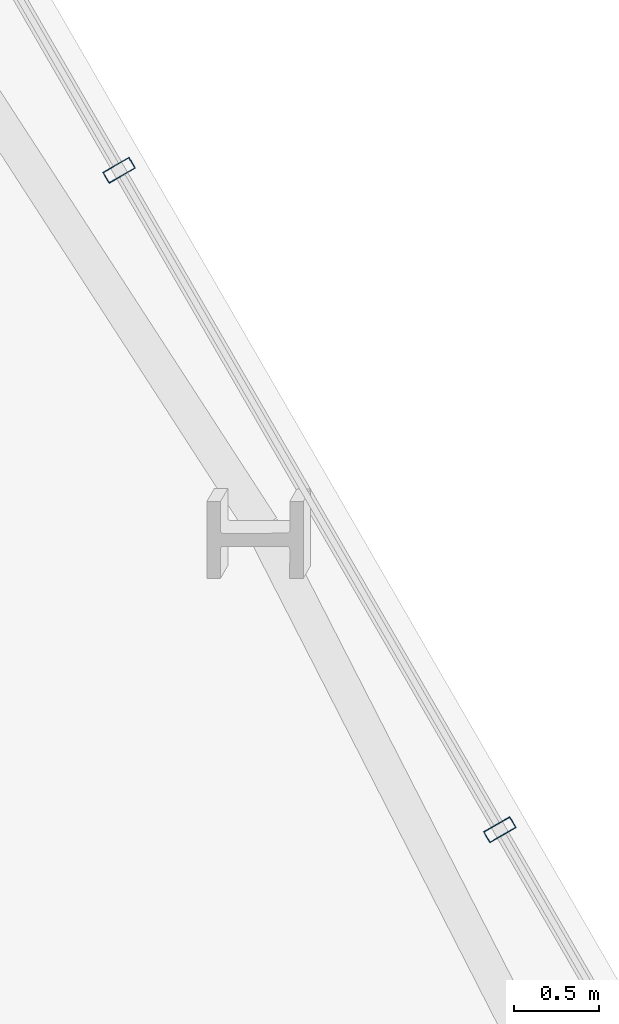
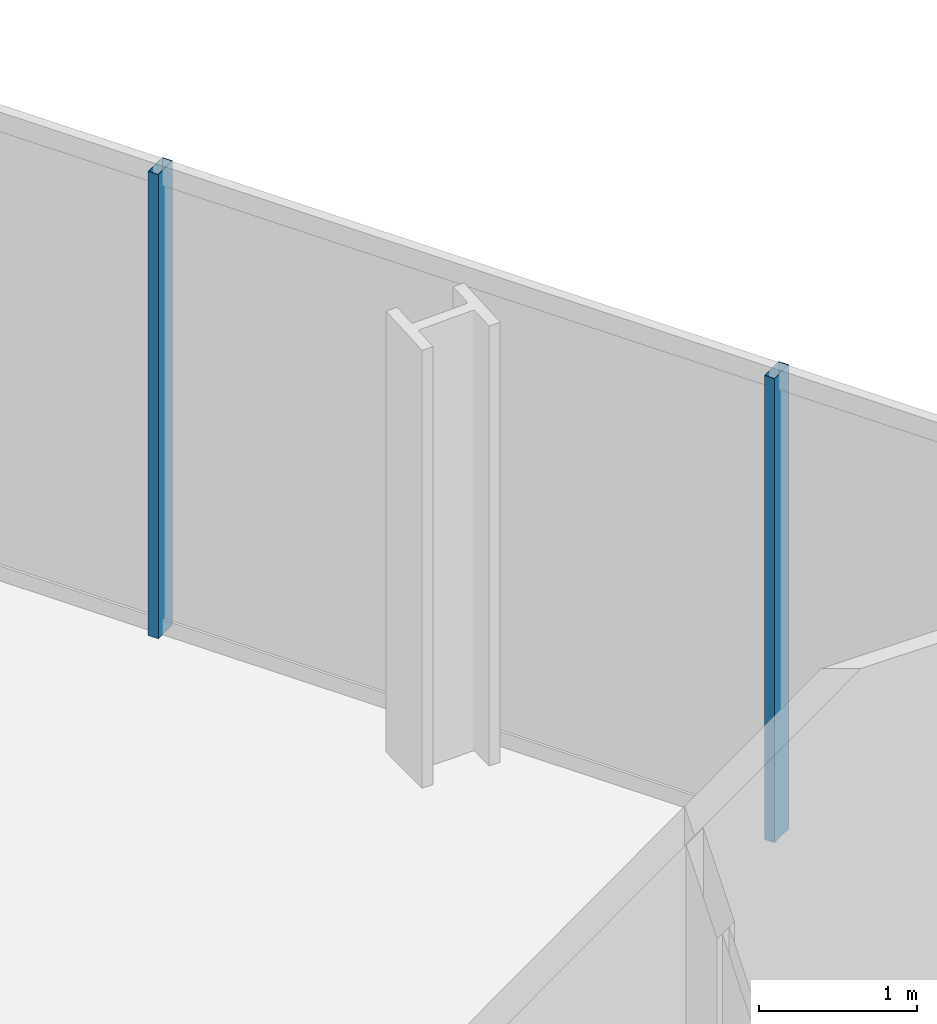
# One storey, part 20 of 32: 2 members, 1 element without a shape of its own.
"""IFC4 building model written with IfcOpenShell, lengths in metres."""

from ifc_helpers import new_model, si_unit, direction, frame, origin, origin_2d, place, context, subcontext, project, spatial, hollow_rectangle, extrude, material, layer, layer_set, material_profile, profile_set, type_object, element, aggregate, save


model = new_model("IFC4")

# Units and contexts
model_context = context("Model", 3, precision=1e-05, world=origin(), true_north=direction((0.0, 1.0)))
body_context = subcontext(model_context, "Body", "Model", "MODEL_VIEW")
ifc_project = project(units=[si_unit("LENGTHUNIT", "METRE"), si_unit("AREAUNIT", "SQUARE_METRE"), si_unit("VOLUMEUNIT", "CUBIC_METRE"), si_unit("PLANEANGLEUNIT", "RADIAN"), si_unit("MASSUNIT", "GRAM", prefix="KILO")], contexts=[model_context])

# Site, building, storey
site_placement = place(None, origin())
site = spatial("IfcSite", under=ifc_project, at=site_placement, CompositionType="ELEMENT")
building_placement = place(site_placement, origin())
building = spatial("IfcBuilding", under=site, at=building_placement, Name="Ndaravel Arena Tower", CompositionType="ELEMENT")
storey_placement = place(building_placement, frame((0.0, 0.0, 66.39990234375)))
storey = spatial("IfcBuildingStorey", under=building, at=storey_placement, Name="L14", CompositionType="ELEMENT", Elevation=66.39990234375)

# Curtain wall, members
ifc_material_1 = material(Name="Aluminium", Category="aluminium")
ifc_layer = layer(ifc_material_1, 0.179931640625)
ifc_layer_set = layer_set([ifc_layer], Name="Aluminium")
curtain_wall_type = type_object("IfcCurtainWallType", Name="CW-SYS-03", PredefinedType="NOTDEFINED", material=ifc_layer_set)
curtain_wall_placement = place(storey_placement, origin())
curtain_wall = element("IfcCurtainWall", 1, at=curtain_wall_placement, inside=storey, type_object=curtain_wall_type, Name="L14 Faceted Crystal Curtain Wall CW-L14-E03", PredefinedType="NOTDEFINED")
ifc_material_2 = material(Name="Aluminium", Category="aluminium")
ifc_material_profile = material_profile(ifc_material_2, hollow_rectangle(XDim=0.074951171875, YDim=0.179931640625, WallThickness=0.00390625, at=origin_2d()), Name="CW MULLION 75x180x4")
ifc_profile_set = profile_set([ifc_material_profile], Name="Aluminium")
member_type = type_object("IfcMemberType", Name="MEM-CW-MUL180", PredefinedType="MULLION", material=ifc_profile_set)
member_1_placement = place(storey_placement, frame((58.74755859375, 30.274169921875, 0.0), z_axis=(0.0, 0.0, 1.0), x_axis=(-0.5, 0.866025403784, 0.0)))
member_1 = element("IfcMember", 2, at=member_1_placement, type_object=member_type, Name="CW-L14-E03 Mullion 03", PredefinedType="MULLION", context=body_context, shape_type="SweptSolid", body=[
    extrude(hollow_rectangle(XDim=0.074951171875, YDim=0.179931640625, WallThickness=0.00390625, at=origin_2d()), origin(), (0.0, 0.0, 1.0), 3.580078125),
])
member_2_placement = place(storey_placement, frame((56.499755859375, 34.16748046875, 0.0), z_axis=(0.0, 0.0, 1.0), x_axis=(-0.5, 0.866025403784, 0.0)))
member_2 = element("IfcMember", 3, at=member_2_placement, type_object=member_type, Name="CW-L14-E03 Mullion 04", PredefinedType="MULLION", context=body_context, shape_type="SweptSolid", body=[
    extrude(hollow_rectangle(XDim=0.074951171875, YDim=0.179931640625, WallThickness=0.00390625, at=origin_2d()), origin(), (0.0, 0.0, 1.0), 3.580078125),
])
aggregate(curtain_wall, [member_1, member_2])

save(model, "model.ifc")
